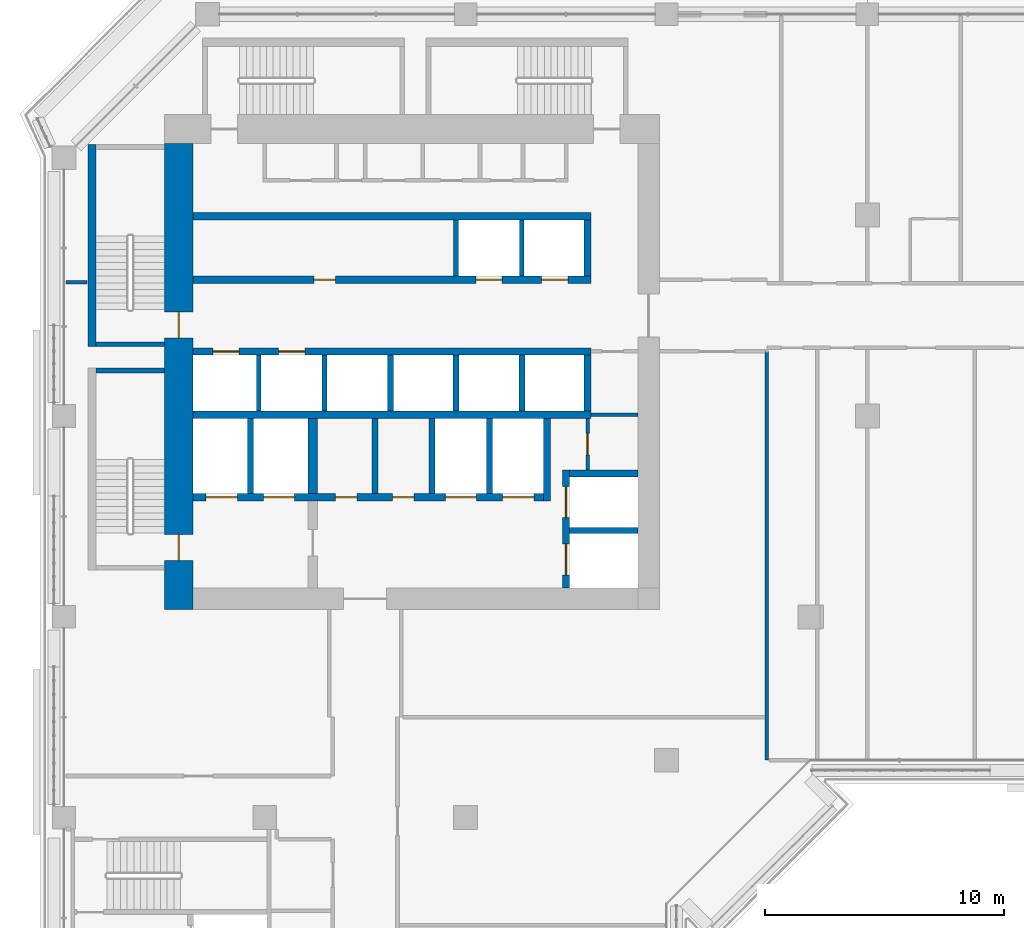
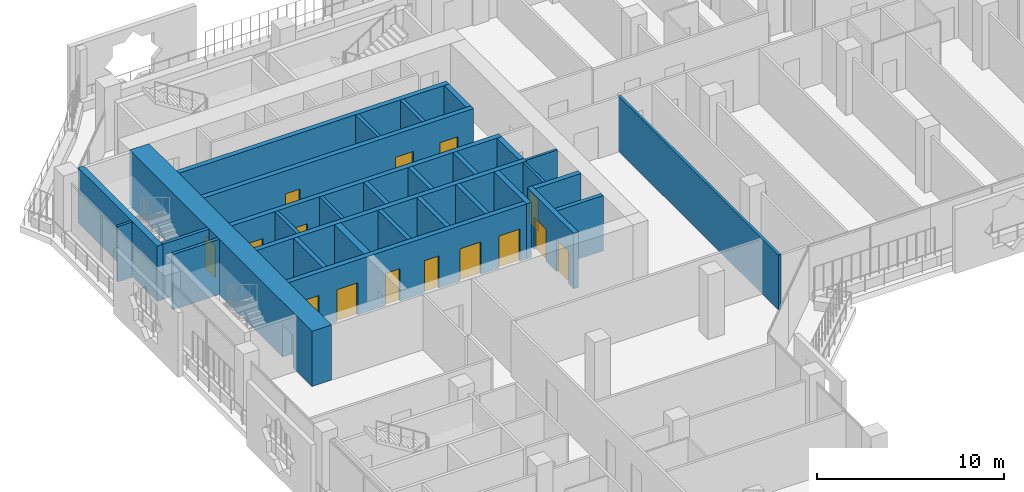
# One storey, part 11 of 22: 31 walls, 16 doors, 16 openings.
"""IFC4 building model written with IfcOpenShell, lengths in metres."""

from ifc_helpers import new_model, si_unit, direction, frame, frame_2d, origin, place, context, subcontext, project, spatial, rectangle, extrude, material, layer, layer_set, type_object, element, fill, save


model = new_model("IFC4")

# Units and contexts
model_context = context("Model", 3, precision=1e-05, world=origin(), true_north=direction((0.0, 1.0)))
body_context = subcontext(model_context, "Body", "Model", "MODEL_VIEW")
ifc_project = project(units=[si_unit("LENGTHUNIT", "METRE"), si_unit("AREAUNIT", "SQUARE_METRE"), si_unit("VOLUMEUNIT", "CUBIC_METRE"), si_unit("PLANEANGLEUNIT", "RADIAN"), si_unit("MASSUNIT", "GRAM", prefix="KILO")], contexts=[model_context])

# Site, building, storey
site_placement = place(None, origin())
site = spatial("IfcSite", under=ifc_project, at=site_placement, CompositionType="ELEMENT")
building_placement = place(site_placement, origin())
building = spatial("IfcBuilding", under=site, at=building_placement, Name="Kawkab Arch Medical Tower", CompositionType="ELEMENT")
storey_placement = place(building_placement, frame((0.0, 0.0, 196.199951171875)))
storey = spatial("IfcBuildingStorey", under=building, at=storey_placement, Name="L45", CompositionType="ELEMENT", Elevation=196.199951171875)

# Wall, openings, doors
ifc_material_1 = material(Name="Concrete C55/67", Category="concrete")
ifc_layer_1 = layer(ifc_material_1, 1.199951171875)
ifc_layer_set_1 = layer_set([ifc_layer_1], Name="Concrete C55/67")
wall_type_1 = type_object("IfcWallType", Name="Core ring wall 1200 C55/67", PredefinedType="SHEAR", material=ifc_layer_set_1)
wall_1_placement = place(storey_placement, frame((4.800048828125, -24.89990234375, 0.0), z_axis=(0.0, 0.0, 1.0), x_axis=(0.0, 1.0, 0.0)))
wall_1 = element("IfcWall", 1, at=wall_1_placement, inside=storey, type_object=wall_type_1, Name="L45 core wall", PredefinedType="SHEAR", context=body_context, shape_type="SweptSolid", body=[
    extrude(rectangle(XDim=19.5, YDim=1.199951171875, at=frame_2d((9.75, 0.0))), origin(), (0.0, 0.0, 1.0), 3.60009765625),
])
opening_1_placement = place(wall_1_placement, frame((11.35009765625, 0.0, 0.0)))
opening_1 = element("IfcOpeningElement", 2, at=opening_1_placement, cuts=wall_1, Name="Opening SD", PredefinedType="OPENING", context=body_context, shape_type="SweptSolid", body=[
    extrude(rectangle(XDim=1.10009765625, YDim=2.10009765625, at=frame_2d((0.550048828125, 1.050048828125))), frame((0.0, 0.60986328125, 0.0), z_axis=(0.0, -1.0, 0.0), x_axis=(1.0, 0.0, 0.0)), (0.0, 0.0, 1.0), 1.219970703125),
])
opening_2_placement = place(wall_1_placement, frame((2.050048828125, 0.0, 0.0)))
opening_2 = element("IfcOpeningElement", 3, at=opening_2_placement, cuts=wall_1, Name="Opening SD", PredefinedType="OPENING", context=body_context, shape_type="SweptSolid", body=[
    extrude(rectangle(XDim=1.10009765625, YDim=2.10009765625, at=frame_2d((0.550048828125, 1.050048828125))), frame((0.0, 0.60986328125, 0.0), z_axis=(0.0, -1.0, 0.0), x_axis=(1.0, 0.0, 0.0)), (0.0, 0.0, 1.0), 1.219970703125),
])
ifc_material_2 = material(Name="Hollow metal fire door leaf")
door_type_1 = type_object("IfcDoorType", Name="Exit stair door 1100", OperationType="SINGLE_SWING_LEFT", PredefinedType="DOOR", material=ifc_material_2)
door_1_placement = place(opening_1_placement, origin())
door_1 = element("IfcDoor", 4, at=door_1_placement, inside=storey, type_object=door_type_1, Name="L45 Exit stair ST1 door", OperationType="SINGLE_SWING_LEFT", OverallHeight=2.10009765625, OverallWidth=1.10009765625, PredefinedType="DOOR", context=body_context, shape_type="SweptSolid", body=[
    extrude(rectangle(XDim=1.10009765625, YDim=2.10009765625, at=frame_2d((0.550048828125, 1.050048828125))), frame((0.0, 0.02490234375, 0.0), z_axis=(0.0, -1.0, 0.0), x_axis=(1.0, 0.0, 0.0)), (0.0, 0.0, 1.0), 0.050048828125),
])
fill(opening_1, door_1)
door_2_placement = place(opening_2_placement, origin())
door_2 = element("IfcDoor", 5, at=door_2_placement, inside=storey, type_object=door_type_1, Name="L45 Exit stair ST2 door", OperationType="SINGLE_SWING_LEFT", OverallHeight=2.10009765625, OverallWidth=1.10009765625, PredefinedType="DOOR", context=body_context, shape_type="SweptSolid", body=[
    extrude(rectangle(XDim=1.10009765625, YDim=2.10009765625, at=frame_2d((0.550048828125, 1.050048828125))), frame((0.0, 0.02490234375, 0.0), z_axis=(0.0, -1.0, 0.0), x_axis=(1.0, 0.0, 0.0)), (0.0, 0.0, 1.0), 0.050048828125),
])
fill(opening_2, door_2)

# Wall, opening, door
ifc_material_3 = material(Name="Gypsum board on steel studs", Category="steel")
ifc_layer_2 = layer(ifc_material_3, 0.14990234375)
ifc_layer_set_2 = layer_set([ifc_layer_2], Name="Gypsum board on steel studs")
wall_type_2 = type_object("IfcWallType", Name="Core room partition 150", PredefinedType="PARTITIONING", material=ifc_layer_set_2)
wall_2_placement = place(storey_placement, frame((21.89990234375, -19.050048828125, 0.0), z_axis=(0.0, 0.0, 1.0), x_axis=(0.0, 1.0, 0.0)))
wall_2 = element("IfcWall", 6, at=wall_2_placement, inside=storey, type_object=wall_type_2, Name="L45 core room partition", PredefinedType="PARTITIONING", context=body_context, shape_type="SweptSolid", body=[
    extrude(rectangle(XDim=2.150146484375, YDim=0.14990234375, at=frame_2d((1.0751953125, 0.0))), origin(), (0.0, 0.0, 1.0), 3.60009765625),
])
opening_3_placement = place(wall_2_placement, frame((0.625, 0.0, 0.0)))
opening_3 = element("IfcOpeningElement", 7, at=opening_3_placement, cuts=wall_2, Name="Opening RD", PredefinedType="OPENING", context=body_context, shape_type="SweptSolid", body=[
    extrude(rectangle(XDim=0.89990234375, YDim=2.10009765625, at=frame_2d((0.449951171875, 1.050048828125))), frame((0.0, 0.0849609375, 0.0), z_axis=(0.0, -1.0, 0.0), x_axis=(1.0, 0.0, 0.0)), (0.0, 0.0, 1.0), 0.169921875),
])
ifc_material_4 = material(Name="Hollow metal fire door leaf")
door_type_2 = type_object("IfcDoorType", Name="Core room door 900", OperationType="SINGLE_SWING_LEFT", PredefinedType="DOOR", material=ifc_material_4)
door_3_placement = place(opening_3_placement, origin())
door_3 = element("IfcDoor", 8, at=door_3_placement, inside=storey, type_object=door_type_2, Name="L45 Accessible WC door", OperationType="SINGLE_SWING_LEFT", OverallHeight=2.10009765625, OverallWidth=0.89990234375, PredefinedType="DOOR", context=body_context, shape_type="SweptSolid", body=[
    extrude(rectangle(XDim=0.89990234375, YDim=2.10009765625, at=frame_2d((0.449951171875, 1.050048828125))), frame((0.0, 0.02490234375, 0.0), z_axis=(0.0, -1.0, 0.0), x_axis=(1.0, 0.0, 0.0)), (0.0, 0.0, 1.0), 0.050048828125),
])
fill(opening_3, door_3)

# Walls
wall_3_placement = place(storey_placement, frame((22.050048828125, -16.75, 0.0), z_axis=(0.0, 0.0, 1.0), x_axis=(1.0, 0.0, 0.0)))
element("IfcWall", 9, at=wall_3_placement, inside=storey, type_object=wall_type_2, Name="L45 core room partition", PredefinedType="PARTITIONING", context=body_context, shape_type="SweptSolid", body=[
    extrude(rectangle(XDim=1.949951171875, YDim=0.14990234375, at=frame_2d((0.97509765625, 0.0))), origin(), (0.0, 0.0, 1.0), 3.60009765625),
])
ifc_material_5 = material(Name="Concrete C60/75", Category="concrete")
ifc_layer_3 = layer(ifc_material_5, 0.25)
ifc_layer_set_3 = layer_set([ifc_layer_3], Name="Concrete C60/75")
wall_type_3 = type_object("IfcWallType", Name="Core shear wall 250 C60/75", PredefinedType="SHEAR", material=ifc_layer_set_3)
wall_4_placement = place(storey_placement, frame((21.14990234375, -21.60009765625, 0.0), z_axis=(0.0, 0.0, 1.0), x_axis=(1.0, 0.0, 0.0)))
element("IfcWall", 10, at=wall_4_placement, inside=storey, type_object=wall_type_3, Name="L45 core shear wall", PredefinedType="SHEAR", context=body_context, shape_type="SweptSolid", body=[
    extrude(rectangle(XDim=2.85009765625, YDim=0.25, at=frame_2d((1.425048828125, 0.0))), origin(), (0.0, 0.0, 1.0), 3.60009765625),
])
for number, where, z_axis, x_axis, name in (
    (11, (7.800048828125, -20.050048828125, 0.0), (0.0, 0.0, 1.0), (0.0, 1.0, 0.0), "L45 core shear wall"),
    (12, (13.0, -20.050048828125, 0.0), (0.0, 0.0, 1.0), (0.0, 1.0, 0.0), "L45 core shear wall"),
    (13, (15.39990234375, -20.050048828125, 0.0), (0.0, 0.0, 1.0), (0.0, 1.0, 0.0), "L45 core shear wall"),
    (14, (17.800048828125, -20.050048828125, 0.0), (0.0, 0.0, 1.0), (0.0, 1.0, 0.0), "L45 core shear wall"),
):
    element("IfcWall", number, at=place(storey_placement, frame(where, z_axis=z_axis, x_axis=x_axis)), inside=storey, type_object=wall_type_3, Name=name, PredefinedType="SHEAR", context=body_context, shape_type="SweptSolid", body=[
        extrude(rectangle(XDim=3.150146484375, YDim=0.25, at=frame_2d((1.5751953125, 0.0))), origin(), (0.0, 0.0, 1.0), 3.60009765625),
    ])
for number, where, z_axis, x_axis, name in (
    (15, (13.64990234375, -16.60009765625, 0.0), (0.0, 0.0, 1.0), (0.0, 1.0, 0.0), "L45 core shear wall"),
    (16, (16.39990234375, -16.60009765625, 0.0), (0.0, 0.0, 1.0), (0.0, 1.0, 0.0), "L45 core shear wall"),
    (17, (19.14990234375, -16.60009765625, 0.0), (0.0, 0.0, 1.0), (0.0, 1.0, 0.0), "L45 core shear wall"),
):
    element("IfcWall", number, at=place(storey_placement, frame(where, z_axis=z_axis, x_axis=x_axis)), inside=storey, type_object=wall_type_3, Name=name, PredefinedType="SHEAR", context=body_context, shape_type="SweptSolid", body=[
        extrude(rectangle(XDim=2.35009765625, YDim=0.25, at=frame_2d((1.175048828125, 0.0))), origin(), (0.0, 0.0, 1.0), 3.60009765625),
    ])
ifc_material_6 = material(Name="Concrete C60/75", Category="concrete")
ifc_layer_4 = layer(ifc_material_6, 0.300048828125)
ifc_layer_set_4 = layer_set([ifc_layer_4], Name="Concrete C60/75")
wall_type_4 = type_object("IfcWallType", Name="Core shear wall 300 C60/75", PredefinedType="SHEAR", material=ifc_layer_set_4)
wall_5_placement = place(storey_placement, frame((5.39990234375, -8.449951171875, 0.0), z_axis=(0.0, 0.0, 1.0), x_axis=(1.0, 0.0, 0.0)))
element("IfcWall", 18, at=wall_5_placement, inside=storey, type_object=wall_type_4, Name="L45 core shear wall", PredefinedType="SHEAR", context=body_context, shape_type="SweptSolid", body=[
    extrude(rectangle(XDim=16.650146484375, YDim=0.300048828125, at=frame_2d((8.3251953125, 0.0))), origin(), (0.0, 0.0, 1.0), 3.60009765625),
])

# Wall, openings, doors
wall_6_placement = place(storey_placement, frame((5.39990234375, -11.10009765625, 0.0), z_axis=(0.0, 0.0, 1.0), x_axis=(1.0, 0.0, 0.0)))
wall_6 = element("IfcWall", 19, at=wall_6_placement, inside=storey, type_object=wall_type_4, Name="L45 core shear wall", PredefinedType="SHEAR", context=body_context, shape_type="SweptSolid", body=[
    extrude(rectangle(XDim=16.650146484375, YDim=0.300048828125, at=frame_2d((8.3251953125, 0.0))), origin(), (0.0, 0.0, 1.0), 3.60009765625),
])
opening_4_placement = place(wall_6_placement, frame((11.824951171875, 0.0, 0.0)))
opening_4 = element("IfcOpeningElement", 20, at=opening_4_placement, cuts=wall_6, Name="Opening LD1", PredefinedType="OPENING", context=body_context, shape_type="SweptSolid", body=[
    extrude(rectangle(XDim=1.10009765625, YDim=2.10009765625, at=frame_2d((0.550048828125, 1.050048828125))), frame((0.0, 0.159912109375, 0.0), z_axis=(0.0, -1.0, 0.0), x_axis=(1.0, 0.0, 0.0)), (0.0, 0.0, 1.0), 0.320068359375),
])
opening_5_placement = place(wall_6_placement, frame((14.574951171875, 0.0, 0.0)))
opening_5 = element("IfcOpeningElement", 21, at=opening_5_placement, cuts=wall_6, Name="Opening LD1", PredefinedType="OPENING", context=body_context, shape_type="SweptSolid", body=[
    extrude(rectangle(XDim=1.10009765625, YDim=2.10009765625, at=frame_2d((0.550048828125, 1.050048828125))), frame((0.0, 0.159912109375, 0.0), z_axis=(0.0, -1.0, 0.0), x_axis=(1.0, 0.0, 0.0)), (0.0, 0.0, 1.0), 0.320068359375),
])
opening_6_placement = place(wall_6_placement, frame((5.050048828125, 0.0, 0.0)))
opening_6 = element("IfcOpeningElement", 22, at=opening_6_placement, cuts=wall_6, Name="Opening RD", PredefinedType="OPENING", context=body_context, shape_type="SweptSolid", body=[
    extrude(rectangle(XDim=0.89990234375, YDim=2.10009765625, at=frame_2d((0.449951171875, 1.050048828125))), frame((0.0, 0.159912109375, 0.0), z_axis=(0.0, -1.0, 0.0), x_axis=(1.0, 0.0, 0.0)), (0.0, 0.0, 1.0), 0.320068359375),
])
door_4_placement = place(opening_6_placement, origin())
door_4 = element("IfcDoor", 23, at=door_4_placement, inside=storey, type_object=door_type_2, Name="L45 Data room door", OperationType="SINGLE_SWING_LEFT", OverallHeight=2.10009765625, OverallWidth=0.89990234375, PredefinedType="DOOR", context=body_context, shape_type="SweptSolid", body=[
    extrude(rectangle(XDim=0.89990234375, YDim=2.10009765625, at=frame_2d((0.449951171875, 1.050048828125))), frame((0.0, 0.02490234375, 0.0), z_axis=(0.0, -1.0, 0.0), x_axis=(1.0, 0.0, 0.0)), (0.0, 0.0, 1.0), 0.050048828125),
])
fill(opening_6, door_4)
ifc_material_7 = material(Name="Stainless steel lift door leaf", Category="steel")
door_type_3 = type_object("IfcDoorType", Name="Lift landing door 1100", OperationType="DOUBLE_DOOR_SLIDING", PredefinedType="DOOR", material=ifc_material_7)
door_5_placement = place(opening_4_placement, origin())
door_5 = element("IfcDoor", 24, at=door_5_placement, inside=storey, type_object=door_type_3, Name="L45 Lift landing door MP1", OperationType="DOUBLE_DOOR_SLIDING", OverallHeight=2.10009765625, OverallWidth=1.10009765625, PredefinedType="DOOR", context=body_context, shape_type="SweptSolid", body=[
    extrude(rectangle(XDim=1.10009765625, YDim=2.10009765625, at=frame_2d((0.550048828125, 1.050048828125))), frame((0.0, 0.02490234375, 0.0), z_axis=(0.0, -1.0, 0.0), x_axis=(1.0, 0.0, 0.0)), (0.0, 0.0, 1.0), 0.050048828125),
])
fill(opening_4, door_5)
door_6_placement = place(opening_5_placement, origin())
door_6 = element("IfcDoor", 25, at=door_6_placement, inside=storey, type_object=door_type_3, Name="L45 Lift landing door MP2", OperationType="DOUBLE_DOOR_SLIDING", OverallHeight=2.10009765625, OverallWidth=1.10009765625, PredefinedType="DOOR", context=body_context, shape_type="SweptSolid", body=[
    extrude(rectangle(XDim=1.10009765625, YDim=2.10009765625, at=frame_2d((0.550048828125, 1.050048828125))), frame((0.0, 0.02490234375, 0.0), z_axis=(0.0, -1.0, 0.0), x_axis=(1.0, 0.0, 0.0)), (0.0, 0.0, 1.0), 0.050048828125),
])
fill(opening_5, door_6)

wall_7_placement = place(storey_placement, frame((5.39990234375, -14.10009765625, 0.0), z_axis=(0.0, 0.0, 1.0), x_axis=(1.0, 0.0, 0.0)))
wall_7 = element("IfcWall", 26, at=wall_7_placement, inside=storey, type_object=wall_type_4, Name="L45 core shear wall", PredefinedType="SHEAR", context=body_context, shape_type="SweptSolid", body=[
    extrude(rectangle(XDim=16.650146484375, YDim=0.300048828125, at=frame_2d((8.3251953125, 0.0))), origin(), (0.0, 0.0, 1.0), 3.60009765625),
])
opening_7_placement = place(wall_7_placement, frame((0.824951171875, 0.0, 0.0)))
opening_7 = element("IfcOpeningElement", 27, at=opening_7_placement, cuts=wall_7, Name="Opening LD1", PredefinedType="OPENING", context=body_context, shape_type="SweptSolid", body=[
    extrude(rectangle(XDim=1.10009765625, YDim=2.10009765625, at=frame_2d((0.550048828125, 1.050048828125))), frame((0.0, 0.159912109375, 0.0), z_axis=(0.0, -1.0, 0.0), x_axis=(1.0, 0.0, 0.0)), (0.0, 0.0, 1.0), 0.320068359375),
])
opening_8_placement = place(wall_7_placement, frame((3.574951171875, 0.0, 0.0)))
opening_8 = element("IfcOpeningElement", 28, at=opening_8_placement, cuts=wall_7, Name="Opening LD1", PredefinedType="OPENING", context=body_context, shape_type="SweptSolid", body=[
    extrude(rectangle(XDim=1.10009765625, YDim=2.10009765625, at=frame_2d((0.550048828125, 1.050048828125))), frame((0.0, 0.159912109375, 0.0), z_axis=(0.0, -1.0, 0.0), x_axis=(1.0, 0.0, 0.0)), (0.0, 0.0, 1.0), 0.320068359375),
])
door_7_placement = place(opening_7_placement, origin())
door_7 = element("IfcDoor", 29, at=door_7_placement, inside=storey, type_object=door_type_3, Name="L45 Lift landing door MP3", OperationType="DOUBLE_DOOR_SLIDING", OverallHeight=2.10009765625, OverallWidth=1.10009765625, PredefinedType="DOOR", context=body_context, shape_type="SweptSolid", body=[
    extrude(rectangle(XDim=1.10009765625, YDim=2.10009765625, at=frame_2d((0.550048828125, 1.050048828125))), frame((0.0, 0.02490234375, 0.0), z_axis=(0.0, -1.0, 0.0), x_axis=(1.0, 0.0, 0.0)), (0.0, 0.0, 1.0), 0.050048828125),
])
fill(opening_7, door_7)
door_8_placement = place(opening_8_placement, origin())
door_8 = element("IfcDoor", 30, at=door_8_placement, inside=storey, type_object=door_type_3, Name="L45 Lift landing door MP4", OperationType="DOUBLE_DOOR_SLIDING", OverallHeight=2.10009765625, OverallWidth=1.10009765625, PredefinedType="DOOR", context=body_context, shape_type="SweptSolid", body=[
    extrude(rectangle(XDim=1.10009765625, YDim=2.10009765625, at=frame_2d((0.550048828125, 1.050048828125))), frame((0.0, 0.02490234375, 0.0), z_axis=(0.0, -1.0, 0.0), x_axis=(1.0, 0.0, 0.0)), (0.0, 0.0, 1.0), 0.050048828125),
])
fill(opening_8, door_8)

# Wall
wall_8_placement = place(storey_placement, frame((5.39990234375, -16.75, 0.0), z_axis=(0.0, 0.0, 1.0), x_axis=(1.0, 0.0, 0.0)))
element("IfcWall", 31, at=wall_8_placement, inside=storey, type_object=wall_type_4, Name="L45 core shear wall", PredefinedType="SHEAR", context=body_context, shape_type="SweptSolid", body=[
    extrude(rectangle(XDim=16.650146484375, YDim=0.300048828125, at=frame_2d((8.3251953125, 0.0))), origin(), (0.0, 0.0, 1.0), 3.60009765625),
])

# Wall, openings, doors
wall_9_placement = place(storey_placement, frame((5.39990234375, -20.199951171875, 0.0), z_axis=(0.0, 0.0, 1.0), x_axis=(1.0, 0.0, 0.0)))
wall_9 = element("IfcWall", 32, at=wall_9_placement, inside=storey, type_object=wall_type_4, Name="L45 core shear wall", PredefinedType="SHEAR", context=body_context, shape_type="SweptSolid", body=[
    extrude(rectangle(XDim=14.650146484375, YDim=0.300048828125, at=frame_2d((7.3251953125, 0.0))), origin(), (0.0, 0.0, 1.0), 3.60009765625),
])
opening_9_placement = place(wall_9_placement, frame((10.550048828125, 0.0, 0.0)))
opening_9 = element("IfcOpeningElement", 33, at=opening_9_placement, cuts=wall_9, Name="Opening LD2", PredefinedType="OPENING", context=body_context, shape_type="SweptSolid", body=[
    extrude(rectangle(XDim=1.300048828125, YDim=2.10009765625, at=frame_2d((0.64990234375, 1.050048828125))), frame((0.0, 0.159912109375, 0.0), z_axis=(0.0, -1.0, 0.0), x_axis=(1.0, 0.0, 0.0)), (0.0, 0.0, 1.0), 0.320068359375),
])
opening_10_placement = place(wall_9_placement, frame((12.949951171875, 0.0, 0.0)))
opening_10 = element("IfcOpeningElement", 34, at=opening_10_placement, cuts=wall_9, Name="Opening LD2", PredefinedType="OPENING", context=body_context, shape_type="SweptSolid", body=[
    extrude(rectangle(XDim=1.300048828125, YDim=2.10009765625, at=frame_2d((0.64990234375, 1.050048828125))), frame((0.0, 0.159912109375, 0.0), z_axis=(0.0, -1.0, 0.0), x_axis=(1.0, 0.0, 0.0)), (0.0, 0.0, 1.0), 0.320068359375),
])
opening_11_placement = place(wall_9_placement, frame((0.550048828125, 0.0, 0.0)))
opening_11 = element("IfcOpeningElement", 35, at=opening_11_placement, cuts=wall_9, Name="Opening LD2", PredefinedType="OPENING", context=body_context, shape_type="SweptSolid", body=[
    extrude(rectangle(XDim=1.300048828125, YDim=2.10009765625, at=frame_2d((0.64990234375, 1.050048828125))), frame((0.0, 0.159912109375, 0.0), z_axis=(0.0, -1.0, 0.0), x_axis=(1.0, 0.0, 0.0)), (0.0, 0.0, 1.0), 0.320068359375),
])
opening_12_placement = place(wall_9_placement, frame((2.949951171875, 0.0, 0.0)))
opening_12 = element("IfcOpeningElement", 36, at=opening_12_placement, cuts=wall_9, Name="Opening LD2", PredefinedType="OPENING", context=body_context, shape_type="SweptSolid", body=[
    extrude(rectangle(XDim=1.300048828125, YDim=2.10009765625, at=frame_2d((0.64990234375, 1.050048828125))), frame((0.0, 0.159912109375, 0.0), z_axis=(0.0, -1.0, 0.0), x_axis=(1.0, 0.0, 0.0)), (0.0, 0.0, 1.0), 0.320068359375),
])
opening_13_placement = place(wall_9_placement, frame((5.949951171875, 0.0, 0.0)))
opening_13 = element("IfcOpeningElement", 37, at=opening_13_placement, cuts=wall_9, Name="Opening RD", PredefinedType="OPENING", context=body_context, shape_type="SweptSolid", body=[
    extrude(rectangle(XDim=0.89990234375, YDim=2.10009765625, at=frame_2d((0.449951171875, 1.050048828125))), frame((0.0, 0.159912109375, 0.0), z_axis=(0.0, -1.0, 0.0), x_axis=(1.0, 0.0, 0.0)), (0.0, 0.0, 1.0), 0.320068359375),
])
opening_14_placement = place(wall_9_placement, frame((8.35009765625, 0.0, 0.0)))
opening_14 = element("IfcOpeningElement", 38, at=opening_14_placement, cuts=wall_9, Name="Opening RD", PredefinedType="OPENING", context=body_context, shape_type="SweptSolid", body=[
    extrude(rectangle(XDim=0.89990234375, YDim=2.10009765625, at=frame_2d((0.449951171875, 1.050048828125))), frame((0.0, 0.159912109375, 0.0), z_axis=(0.0, -1.0, 0.0), x_axis=(1.0, 0.0, 0.0)), (0.0, 0.0, 1.0), 0.320068359375),
])
door_9_placement = place(opening_13_placement, origin())
door_9 = element("IfcDoor", 39, at=door_9_placement, inside=storey, type_object=door_type_2, Name="L45 Dirty utility room door", OperationType="SINGLE_SWING_LEFT", OverallHeight=2.10009765625, OverallWidth=0.89990234375, PredefinedType="DOOR", context=body_context, shape_type="SweptSolid", body=[
    extrude(rectangle(XDim=0.89990234375, YDim=2.10009765625, at=frame_2d((0.449951171875, 1.050048828125))), frame((0.0, 0.02490234375, 0.0), z_axis=(0.0, -1.0, 0.0), x_axis=(1.0, 0.0, 0.0)), (0.0, 0.0, 1.0), 0.050048828125),
])
fill(opening_13, door_9)
door_10_placement = place(opening_14_placement, origin())
door_10 = element("IfcDoor", 40, at=door_10_placement, inside=storey, type_object=door_type_2, Name="L45 Medication store door", OperationType="SINGLE_SWING_LEFT", OverallHeight=2.10009765625, OverallWidth=0.89990234375, PredefinedType="DOOR", context=body_context, shape_type="SweptSolid", body=[
    extrude(rectangle(XDim=0.89990234375, YDim=2.10009765625, at=frame_2d((0.449951171875, 1.050048828125))), frame((0.0, 0.02490234375, 0.0), z_axis=(0.0, -1.0, 0.0), x_axis=(1.0, 0.0, 0.0)), (0.0, 0.0, 1.0), 0.050048828125),
])
fill(opening_14, door_10)
ifc_material_8 = material(Name="Stainless steel lift door leaf", Category="steel")
door_type_4 = type_object("IfcDoorType", Name="Lift landing door 1300", OperationType="DOUBLE_DOOR_SLIDING", PredefinedType="DOOR", material=ifc_material_8)
door_11_placement = place(opening_9_placement, origin())
door_11 = element("IfcDoor", 41, at=door_11_placement, inside=storey, type_object=door_type_4, Name="L45 Lift landing door BD3", OperationType="DOUBLE_DOOR_SLIDING", OverallHeight=2.10009765625, OverallWidth=1.300048828125, PredefinedType="DOOR", context=body_context, shape_type="SweptSolid", body=[
    extrude(rectangle(XDim=1.300048828125, YDim=2.10009765625, at=frame_2d((0.64990234375, 1.050048828125))), frame((0.0, 0.02490234375, 0.0), z_axis=(0.0, -1.0, 0.0), x_axis=(1.0, 0.0, 0.0)), (0.0, 0.0, 1.0), 0.050048828125),
])
fill(opening_9, door_11)
door_12_placement = place(opening_10_placement, origin())
door_12 = element("IfcDoor", 42, at=door_12_placement, inside=storey, type_object=door_type_4, Name="L45 Lift landing door BD4", OperationType="DOUBLE_DOOR_SLIDING", OverallHeight=2.10009765625, OverallWidth=1.300048828125, PredefinedType="DOOR", context=body_context, shape_type="SweptSolid", body=[
    extrude(rectangle(XDim=1.300048828125, YDim=2.10009765625, at=frame_2d((0.64990234375, 1.050048828125))), frame((0.0, 0.02490234375, 0.0), z_axis=(0.0, -1.0, 0.0), x_axis=(1.0, 0.0, 0.0)), (0.0, 0.0, 1.0), 0.050048828125),
])
fill(opening_10, door_12)
door_13_placement = place(opening_11_placement, origin())
door_13 = element("IfcDoor", 43, at=door_13_placement, inside=storey, type_object=door_type_4, Name="L45 Lift landing door FL1", OperationType="DOUBLE_DOOR_SLIDING", OverallHeight=2.10009765625, OverallWidth=1.300048828125, PredefinedType="DOOR", context=body_context, shape_type="SweptSolid", body=[
    extrude(rectangle(XDim=1.300048828125, YDim=2.10009765625, at=frame_2d((0.64990234375, 1.050048828125))), frame((0.0, 0.02490234375, 0.0), z_axis=(0.0, -1.0, 0.0), x_axis=(1.0, 0.0, 0.0)), (0.0, 0.0, 1.0), 0.050048828125),
])
fill(opening_11, door_13)
door_14_placement = place(opening_12_placement, origin())
door_14 = element("IfcDoor", 44, at=door_14_placement, inside=storey, type_object=door_type_4, Name="L45 Lift landing door FL2", OperationType="DOUBLE_DOOR_SLIDING", OverallHeight=2.10009765625, OverallWidth=1.300048828125, PredefinedType="DOOR", context=body_context, shape_type="SweptSolid", body=[
    extrude(rectangle(XDim=1.300048828125, YDim=2.10009765625, at=frame_2d((0.64990234375, 1.050048828125))), frame((0.0, 0.02490234375, 0.0), z_axis=(0.0, -1.0, 0.0), x_axis=(1.0, 0.0, 0.0)), (0.0, 0.0, 1.0), 0.050048828125),
])
fill(opening_12, door_14)

# Walls
wall_10_placement = place(storey_placement, frame((20.199951171875, -20.35009765625, 0.0), z_axis=(0.0, 0.0, 1.0), x_axis=(0.0, 1.0, 0.0)))
element("IfcWall", 45, at=wall_10_placement, inside=storey, type_object=wall_type_4, Name="L45 core shear wall", PredefinedType="SHEAR", context=body_context, shape_type="SweptSolid", body=[
    extrude(rectangle(XDim=3.4501953125, YDim=0.300048828125, at=frame_2d((1.72509765625, 0.0))), origin(), (0.0, 0.0, 1.0), 3.60009765625),
])
wall_11_placement = place(storey_placement, frame((21.89990234375, -10.949951171875, 0.0), z_axis=(0.0, 0.0, 1.0), x_axis=(0.0, 1.0, 0.0)))
element("IfcWall", 46, at=wall_11_placement, inside=storey, type_object=wall_type_4, Name="L45 core shear wall", PredefinedType="SHEAR", context=body_context, shape_type="SweptSolid", body=[
    extrude(rectangle(XDim=2.349853515625, YDim=0.300048828125, at=frame_2d((1.1748046875, 0.0))), origin(), (0.0, 0.0, 1.0), 3.60009765625),
])
wall_12_placement = place(storey_placement, frame((21.89990234375, -16.60009765625, 0.0), z_axis=(0.0, 0.0, 1.0), x_axis=(0.0, 1.0, 0.0)))
element("IfcWall", 47, at=wall_12_placement, inside=storey, type_object=wall_type_4, Name="L45 core shear wall", PredefinedType="SHEAR", context=body_context, shape_type="SweptSolid", body=[
    extrude(rectangle(XDim=2.35009765625, YDim=0.300048828125, at=frame_2d((1.175048828125, 0.0))), origin(), (0.0, 0.0, 1.0), 3.60009765625),
])
wall_13_placement = place(storey_placement, frame((21.14990234375, -19.199951171875, 0.0), z_axis=(0.0, 0.0, 1.0), x_axis=(1.0, 0.0, 0.0)))
element("IfcWall", 48, at=wall_13_placement, inside=storey, type_object=wall_type_4, Name="L45 core shear wall", PredefinedType="SHEAR", context=body_context, shape_type="SweptSolid", body=[
    extrude(rectangle(XDim=2.85009765625, YDim=0.300048828125, at=frame_2d((1.425048828125, 0.0))), origin(), (0.0, 0.0, 1.0), 3.60009765625),
])

# Wall, openings, doors
wall_14_placement = place(storey_placement, frame((21.0, -24.0, 0.0), z_axis=(0.0, 0.0, 1.0), x_axis=(0.0, 1.0, 0.0)))
wall_14 = element("IfcWall", 49, at=wall_14_placement, inside=storey, type_object=wall_type_4, Name="L45 core shear wall", PredefinedType="SHEAR", context=body_context, shape_type="SweptSolid", body=[
    extrude(rectangle(XDim=4.949951171875, YDim=0.300048828125, at=frame_2d((2.47509765625, 0.0))), origin(), (0.0, 0.0, 1.0), 3.60009765625),
])
opening_15_placement = place(wall_14_placement, frame((2.949951171875, 0.0, 0.0)))
opening_15 = element("IfcOpeningElement", 50, at=opening_15_placement, cuts=wall_14, Name="Opening LD2", PredefinedType="OPENING", context=body_context, shape_type="SweptSolid", body=[
    extrude(rectangle(XDim=1.300048828125, YDim=2.10009765625, at=frame_2d((0.64990234375, 1.050048828125))), frame((0.0, 0.159912109375, 0.0), z_axis=(0.0, -1.0, 0.0), x_axis=(1.0, 0.0, 0.0)), (0.0, 0.0, 1.0), 0.320068359375),
])
opening_16_placement = place(wall_14_placement, frame((0.550048828125, 0.0, 0.0)))
opening_16 = element("IfcOpeningElement", 51, at=opening_16_placement, cuts=wall_14, Name="Opening LD2", PredefinedType="OPENING", context=body_context, shape_type="SweptSolid", body=[
    extrude(rectangle(XDim=1.300048828125, YDim=2.10009765625, at=frame_2d((0.64990234375, 1.050048828125))), frame((0.0, 0.159912109375, 0.0), z_axis=(0.0, -1.0, 0.0), x_axis=(1.0, 0.0, 0.0)), (0.0, 0.0, 1.0), 0.320068359375),
])
door_15_placement = place(opening_15_placement, origin())
door_15 = element("IfcDoor", 52, at=door_15_placement, inside=storey, type_object=door_type_4, Name="L45 Lift landing door BD1", OperationType="DOUBLE_DOOR_SLIDING", OverallHeight=2.10009765625, OverallWidth=1.300048828125, PredefinedType="DOOR", context=body_context, shape_type="SweptSolid", body=[
    extrude(rectangle(XDim=1.300048828125, YDim=2.10009765625, at=frame_2d((0.64990234375, 1.050048828125))), frame((0.0, 0.02490234375, 0.0), z_axis=(0.0, -1.0, 0.0), x_axis=(1.0, 0.0, 0.0)), (0.0, 0.0, 1.0), 0.050048828125),
])
fill(opening_15, door_15)
door_16_placement = place(opening_16_placement, origin())
door_16 = element("IfcDoor", 53, at=door_16_placement, inside=storey, type_object=door_type_4, Name="L45 Lift landing door BD2", OperationType="DOUBLE_DOOR_SLIDING", OverallHeight=2.10009765625, OverallWidth=1.300048828125, PredefinedType="DOOR", context=body_context, shape_type="SweptSolid", body=[
    extrude(rectangle(XDim=1.300048828125, YDim=2.10009765625, at=frame_2d((0.64990234375, 1.050048828125))), frame((0.0, 0.02490234375, 0.0), z_axis=(0.0, -1.0, 0.0), x_axis=(1.0, 0.0, 0.0)), (0.0, 0.0, 1.0), 0.050048828125),
])
fill(opening_16, door_16)

# Walls
ifc_material_9 = material(Name="Concrete C60/75", Category="concrete")
ifc_layer_5 = layer(ifc_material_9, 0.39990234375)
ifc_layer_set_5 = layer_set([ifc_layer_5], Name="Concrete C60/75")
wall_type_5 = type_object("IfcWallType", Name="Core shear wall 400 C60/75", PredefinedType="SHEAR", material=ifc_layer_set_5)
wall_15_placement = place(storey_placement, frame((10.39990234375, -20.050048828125, 0.0), z_axis=(0.0, 0.0, 1.0), x_axis=(0.0, 1.0, 0.0)))
element("IfcWall", 54, at=wall_15_placement, inside=storey, type_object=wall_type_5, Name="L45 core shear wall", PredefinedType="SHEAR", context=body_context, shape_type="SweptSolid", body=[
    extrude(rectangle(XDim=3.150146484375, YDim=0.39990234375, at=frame_2d((1.5751953125, 0.0))), origin(), (0.0, 0.0, 1.0), 3.60009765625),
])
ifc_material_10 = material(Name="Dense concrete blockwork", Category="masonry")
ifc_layer_6 = layer(ifc_material_10, 0.199951171875)
ifc_layer_set_6 = layer_set([ifc_layer_6], Name="Dense concrete blockwork")
wall_type_6 = type_object("IfcWallType", Name="Lift shaft partition 200", PredefinedType="PARTITIONING", material=ifc_layer_set_6)
for number, where, z_axis, x_axis, name in (
    (55, (16.39990234375, -10.949951171875, 0.0), (0.0, 0.0, 1.0), (0.0, 1.0, 0.0), "L45 lift shaft partition"),
    (56, (19.14990234375, -10.949951171875, 0.0), (0.0, 0.0, 1.0), (0.0, 1.0, 0.0), "L45 lift shaft partition"),
):
    element("IfcWall", number, at=place(storey_placement, frame(where, z_axis=z_axis, x_axis=x_axis)), inside=storey, type_object=wall_type_6, Name=name, PredefinedType="PARTITIONING", context=body_context, shape_type="SweptSolid", body=[
        extrude(rectangle(XDim=2.349853515625, YDim=0.199951171875, at=frame_2d((1.1748046875, 0.0))), origin(), (0.0, 0.0, 1.0), 3.60009765625),
    ])
for number, where, z_axis, x_axis, name in (
    (57, (8.14990234375, -16.60009765625, 0.0), (0.0, 0.0, 1.0), (0.0, 1.0, 0.0), "L45 lift shaft partition"),
    (58, (10.89990234375, -16.60009765625, 0.0), (0.0, 0.0, 1.0), (0.0, 1.0, 0.0), "L45 lift shaft partition"),
):
    element("IfcWall", number, at=place(storey_placement, frame(where, z_axis=z_axis, x_axis=x_axis)), inside=storey, type_object=wall_type_6, Name=name, PredefinedType="PARTITIONING", context=body_context, shape_type="SweptSolid", body=[
        extrude(rectangle(XDim=2.35009765625, YDim=0.199951171875, at=frame_2d((1.175048828125, 0.0))), origin(), (0.0, 0.0, 1.0), 3.60009765625),
    ])
ifc_material_11 = material(Name="Gypsum board partition on steel studs, mineral wool", Category="steel")
ifc_layer_7 = layer(ifc_material_11, 0.14990234375)
ifc_layer_set_7 = layer_set([ifc_layer_7], Name="Gypsum board partition on steel studs, mineral wool")
wall_type_7 = type_object("IfcWallType", Name="Partition 150", PredefinedType="PARTITIONING", material=ifc_layer_set_7)
wall_16_placement = place(storey_placement, frame((0.080078125, -11.199951171875, 0.0), z_axis=(0.0, 0.0, 1.0), x_axis=(1.0, 0.0, 0.0)))
element("IfcWall", 59, at=wall_16_placement, inside=storey, type_object=wall_type_7, Name="Partition 150 w032", PredefinedType="PARTITIONING", context=body_context, shape_type="SweptSolid", body=[
    extrude(rectangle(XDim=0.889892578125, YDim=0.14990234375, at=frame_2d((0.44482421875, 0.0))), origin(), (0.0, 0.0, 1.0), 3.60009765625),
])
wall_17_placement = place(storey_placement, frame((29.39990234375, -31.197998046875, 0.0), z_axis=(0.0, 0.0, 1.0), x_axis=(0.0, 1.0, 0.0)))
element("IfcWall", 60, at=wall_17_placement, inside=storey, type_object=wall_type_7, Name="Partition 150 w045", PredefinedType="PARTITIONING", context=body_context, shape_type="SweptSolid", body=[
    extrude(rectangle(XDim=17.097900390625, YDim=0.14990234375, at=frame_2d((8.548828125, 0.0))), origin(), (0.0, 0.0, 1.0), 3.60009765625),
])
ifc_material_12 = material(Name="Concrete C50/60", Category="concrete")
ifc_layer_8 = layer(ifc_material_12, 0.199951171875)
ifc_layer_set_8 = layer_set([ifc_layer_8], Name="Concrete C50/60")
wall_type_8 = type_object("IfcWallType", Name="Stair enclosure wall 200 C50/60", PredefinedType="SHEAR", material=ifc_layer_set_8)
for number, where, z_axis, x_axis, name in (
    (61, (1.35009765625, -13.800048828125, 0.0), (0.0, 0.0, 1.0), (1.0, 0.0, 0.0), "L45 stair enclosure wall"),
    (62, (1.35009765625, -14.89990234375, 0.0), (0.0, 0.0, 1.0), (1.0, 0.0, 0.0), "L45 stair enclosure wall"),
):
    element("IfcWall", number, at=place(storey_placement, frame(where, z_axis=z_axis, x_axis=x_axis)), inside=storey, type_object=wall_type_8, Name=name, PredefinedType="SHEAR", context=body_context, shape_type="SweptSolid", body=[
        extrude(rectangle(XDim=2.849853515625, YDim=0.199951171875, at=frame_2d((1.4248046875, 0.0))), origin(), (0.0, 0.0, 1.0), 3.60009765625),
    ])
ifc_material_13 = material(Name="Concrete C50/60", Category="concrete")
ifc_layer_9 = layer(ifc_material_13, 0.35009765625)
ifc_layer_set_9 = layer_set([ifc_layer_9], Name="Concrete C50/60")
wall_type_9 = type_object("IfcWallType", Name="Stair enclosure wall 350 C50/60", PredefinedType="SHEAR", material=ifc_layer_set_9)
wall_18_placement = place(storey_placement, frame((1.175048828125, -13.89990234375, 0.0), z_axis=(0.0, 0.0, 1.0), x_axis=(0.0, 1.0, 0.0)))
element("IfcWall", 63, at=wall_18_placement, inside=storey, type_object=wall_type_9, Name="L45 stair enclosure wall", PredefinedType="SHEAR", context=body_context, shape_type="SweptSolid", body=[
    extrude(rectangle(XDim=8.449951171875, YDim=0.35009765625, at=frame_2d((4.22509765625, 0.0))), origin(), (0.0, 0.0, 1.0), 3.60009765625),
])

save(model, "model.ifc")
